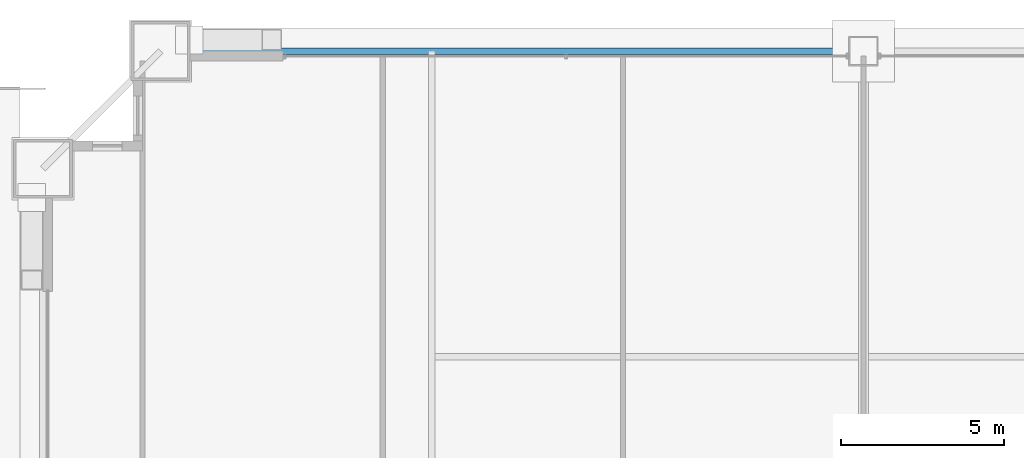
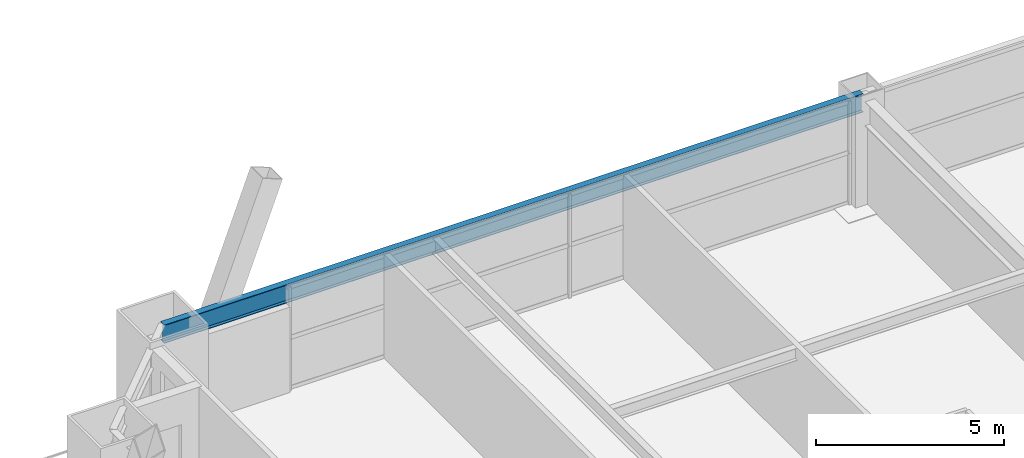
# One storey, part 26 of 45: 1 beam.
"""IFC4 building model written with IfcOpenShell, lengths in metres."""

import ifcopenshell
import ifcopenshell.guid

model = None  # the IFC model being written
_history = None  # IfcOwnerHistory: only IFC2X3 demands one
_inside = {}  # id of a spatial element -> (the spatial element, [elements in it])
_under = {}  # id of a project, library or spatial element -> (it, [spatial elements below it])
_declared = {}  # id of a project -> (the project, [libraries it declares])
_typed = {}  # id of a type object -> (the type object, [elements of that type])
_made_of = {}  # id of a material, layer set ... -> (it, [elements and type objects made of it])


def new_model(schema):
    """Start an empty IFC model of exactly this schema.

    Asked for "IFC4X3", IfcOpenShell would pick the latest addendum, in which some entities
    have other attributes; the version numbers below select the first issue.
    IFC2X3 requires an IfcOwnerHistory on every rooted entity: one is made here for all.
    """
    global model, _history
    if schema == "IFC4X3":
        model = ifcopenshell.file(schema_version=(4, 3, 0, 0))
    else:
        model = ifcopenshell.file(schema=schema)
    _inside.clear()
    _under.clear()
    _declared.clear()
    _typed.clear()
    _made_of.clear()
    _history = None
    if model.schema == "IFC2X3":
        org = make("IfcOrganization", Name="unknown")
        user = make(
            "IfcPersonAndOrganization",
            ThePerson=make("IfcPerson", FamilyName="unknown"),
            TheOrganization=org,
        )
        app = make(
            "IfcApplication",
            ApplicationDeveloper=org,
            Version="unknown",
            ApplicationFullName="unknown",
            ApplicationIdentifier="unknown",
        )
        _history = make(
            "IfcOwnerHistory",
            OwningUser=user,
            OwningApplication=app,
            ChangeAction="ADDED",
            CreationDate=0,
        )
    return model


def make(cls, **values):
    """One entity of the class cls with the attributes given. An attribute that is None is left unset."""
    return model.create_entity(
        cls, **{name: value for name, value in values.items() if value is not None}
    )


def rooted(cls, **values):
    """An entity with a GlobalId (a new one), such as an element, a storey or a relation."""
    return make(cls, GlobalId=ifcopenshell.guid.new(), OwnerHistory=_history, **values)


def si_unit(unit_type, name, prefix=None):
    """IfcSIUnit, for example si_unit("LENGTHUNIT", "METRE", prefix="MILLI")."""
    return make("IfcSIUnit", UnitType=unit_type, Prefix=prefix, Name=name)


def assignment(units):
    """IfcUnitAssignment: the units of a project."""
    return None if units is None else make("IfcUnitAssignment", Units=units)


def point(xyz):
    """IfcCartesianPoint."""
    return None if xyz is None else make("IfcCartesianPoint", Coordinates=xyz)


def direction(xyz):
    """IfcDirection."""
    return None if xyz is None else make("IfcDirection", DirectionRatios=xyz)


def frame(location, z_axis=None, x_axis=None):
    """IfcAxis2Placement3D, a coordinate frame: its origin and axes. An axis left out is left unset."""
    return make(
        "IfcAxis2Placement3D",
        Location=point(location),
        Axis=direction(z_axis),
        RefDirection=direction(x_axis),
    )


def frame_2d(location, x_axis=None):
    """IfcAxis2Placement2D, a coordinate frame in the plane: its origin and x axis."""
    return make(
        "IfcAxis2Placement2D", Location=point(location), RefDirection=direction(x_axis)
    )


def origin():
    """The frame at (0, 0, 0) with its axes left unset."""
    return frame((0.0, 0.0, 0.0))


def origin_2d():
    """The frame at (0, 0) in the plane with its x axis left unset."""
    return frame_2d((0.0, 0.0))


def place(relative_to, where):
    """IfcLocalPlacement: puts the frame where relative to a parent placement (None: the world)."""
    return make(
        "IfcLocalPlacement", PlacementRelTo=relative_to, RelativePlacement=where
    )


def context(
    kind, dimensions, precision=None, world=None, true_north=None, identifier=None
):
    """IfcGeometricRepresentationContext, for example the 3D "Model" context."""
    return make(
        "IfcGeometricRepresentationContext",
        ContextIdentifier=identifier,
        ContextType=kind,
        CoordinateSpaceDimension=dimensions,
        Precision=precision,
        WorldCoordinateSystem=world,
        TrueNorth=true_north,
    )


def subcontext(parent, identifier, kind, view, scale=None):
    """IfcGeometricRepresentationSubContext, for example "Body" below "Model"."""
    return make(
        "IfcGeometricRepresentationSubContext",
        ContextIdentifier=identifier,
        ContextType=kind,
        ParentContext=parent,
        TargetScale=scale,
        TargetView=view,
    )


def project(units=None, contexts=None):
    """IfcProject with its units and contexts."""
    return rooted(
        "IfcProject",
        Name="project",
        RepresentationContexts=contexts,
        UnitsInContext=assignment(units),
    )


def spatial(cls, under=None, at=None, **own):
    """A site, building, storey or space (cls), placed at a placement, below another one or the project."""
    s = rooted(cls, ObjectPlacement=at, **own)
    if under is not None:
        _under.setdefault(under.id(), (under, []))[1].append(s)
    return s


def profile(cls, at=None, kind="AREA", **sizes):
    """A parametric profile (cls). Its sizes go by their IFC names, for example OverallWidth=200.0."""
    return make(cls, ProfileType=kind, Position=at, **sizes)


def i_section(**sizes):
    """IfcIShapeProfileDef."""
    return profile("IfcIShapeProfileDef", **sizes)


def extrude(swept, where, along, depth):
    """IfcExtrudedAreaSolid: the profile swept, set in the frame where, extruded along a direction by depth."""
    return make(
        "IfcExtrudedAreaSolid",
        SweptArea=swept,
        Position=where,
        ExtrudedDirection=direction(along),
        Depth=depth,
    )


def shape(context_of_items, identifier, shape_type, items):
    """IfcShapeRepresentation: the items that make up one representation, for example the "Body"."""
    return make(
        "IfcShapeRepresentation",
        ContextOfItems=context_of_items,
        RepresentationIdentifier=identifier,
        RepresentationType=shape_type,
        Items=items,
    )


def source(mapping_origin, context_of_items, identifier, shape_type, items):
    """IfcRepresentationMap: a shape defined once, which mapped items show again and again."""
    return make(
        "IfcRepresentationMap",
        MappingOrigin=mapping_origin,
        MappedRepresentation=shape(context_of_items, identifier, shape_type, items),
    )


def transform(
    local_origin,
    x_axis=None,
    y_axis=None,
    z_axis=None,
    scale=None,
    scale2=None,
    scale3=None,
    uniform=True,
):
    """IfcCartesianTransformationOperator3D, or its non-uniform kind. x_axis, y_axis, z_axis: its Axis1, 2, 3."""
    if uniform:
        return make(
            "IfcCartesianTransformationOperator3D",
            Axis1=direction(x_axis),
            Axis2=direction(y_axis),
            LocalOrigin=point(local_origin),
            Scale=scale,
            Axis3=direction(z_axis),
        )
    return make(
        "IfcCartesianTransformationOperator3DnonUniform",
        Axis1=direction(x_axis),
        Axis2=direction(y_axis),
        LocalOrigin=point(local_origin),
        Scale=scale,
        Axis3=direction(z_axis),
        Scale2=scale2,
        Scale3=scale3,
    )


def mapped(mapping_source, mapping_target):
    """IfcMappedItem: shows the shape of a source again, moved by a transform."""
    return make(
        "IfcMappedItem", MappingSource=mapping_source, MappingTarget=mapping_target
    )


def material(Name=None, Category=None):
    """IfcMaterial."""
    return make("IfcMaterial", Name=Name, Category=Category)


def material_profile(
    of_material, cross_section, Name=None, Category=None, Priority=None
):
    """IfcMaterialProfile: a cross section and its material."""
    return make(
        "IfcMaterialProfile",
        Name=Name,
        Material=of_material,
        Profile=cross_section,
        Priority=Priority,
        Category=Category,
    )


def profile_set(profiles, Name=None, composite=None):
    """IfcMaterialProfileSet."""
    return make(
        "IfcMaterialProfileSet",
        Name=Name,
        MaterialProfiles=profiles,
        CompositeProfile=composite,
    )


def made_of(thing, what):
    """Note that an element or type object is made of a material, layer set ...; save() writes the relation."""
    if what is not None:
        _made_of.setdefault(what.id(), (what, []))[1].append(thing)
    return thing


def type_object(cls, material=None, **own):
    """A type object (cls), such as IfcWallType, which elements share."""
    return made_of(rooted(cls, **own), material)


def element(
    cls,
    number,
    at=None,
    inside=None,
    cuts=None,
    type_object=None,
    material=None,
    context=None,
    identifier="Body",
    shape_type=None,
    held_by="IfcProductDefinitionShape",
    body=None,
    shapes=None,
    **own,
):
    """One element of the class cls, such as IfcWall. Its Tag is "e" and its number.

    at: its placement. inside: the storey or other place that contains it. cuts: it is an
    opening in that element (IfcRelVoidsElement). A single representation is given by context,
    identifier, shape_type and body (its items); several are given by shapes. held_by: the class
    of the entity that holds the representations. save() writes the other relations.
    """
    e = rooted(cls, Tag="e%d" % number, ObjectPlacement=at, **own)
    if body is not None:
        shapes = [shape(context, identifier, shape_type, body)]
    if shapes is not None:
        e.Representation = make(held_by, Representations=shapes)
    if inside is not None:
        _inside.setdefault(inside.id(), (inside, []))[1].append(e)
    if cuts is not None:
        rooted(
            "IfcRelVoidsElement", RelatingBuildingElement=cuts, RelatedOpeningElement=e
        )
    if type_object is not None:
        _typed.setdefault(type_object.id(), (type_object, []))[1].append(e)
    return made_of(e, material)


def aggregate(whole, parts):
    """IfcRelAggregates: a whole, such as a stair, and the parts it consists of."""
    return rooted("IfcRelAggregates", RelatingObject=whole, RelatedObjects=parts)


def save(model, path):
    """Write the relations noted so far, then the file.

    IfcRelAggregates (storeys below a building ...), IfcRelContainedInSpatialStructure (elements
    in a storey), IfcRelDefinesByType, IfcRelAssociatesMaterial and IfcRelDeclares: one each for
    every whole, place, type object, material and project.
    """
    for whole, parts in _under.values():
        aggregate(whole, parts)
    for where, things in _inside.values():
        rooted(
            "IfcRelContainedInSpatialStructure",
            RelatedElements=things,
            RelatingStructure=where,
        )
    for kind, things in _typed.values():
        rooted("IfcRelDefinesByType", RelatedObjects=things, RelatingType=kind)
    for what, things in _made_of.values():
        rooted("IfcRelAssociatesMaterial", RelatedObjects=things, RelatingMaterial=what)
    for by, libraries in _declared.values():
        rooted("IfcRelDeclares", RelatingContext=by, RelatedDefinitions=libraries)
    model.write(path)


model = new_model("IFC4")

# Units and contexts
model_context = context("Model", 3, precision=1e-05, world=origin(), true_north=direction((0.0, 1.0)))
body_context = subcontext(model_context, "Body", "Model", "MODEL_VIEW")
ifc_project = project(units=[si_unit("LENGTHUNIT", "METRE"), si_unit("AREAUNIT", "SQUARE_METRE"), si_unit("VOLUMEUNIT", "CUBIC_METRE"), si_unit("PLANEANGLEUNIT", "RADIAN"), si_unit("MASSUNIT", "GRAM", prefix="KILO"), si_unit("THERMODYNAMICTEMPERATUREUNIT", "KELVIN"), si_unit("POWERUNIT", "WATT")], contexts=[model_context])

# Site, building, storey
site_placement = place(None, origin())
site = spatial("IfcSite", under=ifc_project, at=site_placement, CompositionType="ELEMENT")
building_placement = place(site_placement, origin())
building = spatial("IfcBuilding", under=site, at=building_placement, Name="Yuzanri Waterfront Tower", CompositionType="ELEMENT")
storey_placement = place(building_placement, frame((0.0, 0.0, 30.60009765625)))
storey = spatial("IfcBuildingStorey", under=building, at=storey_placement, Name="L07", CompositionType="ELEMENT", Elevation=30.60009765625)

# Beam
ifc_material = material(Name="Steel Q355B", Category="steel")
ifc_material_profile = material_profile(ifc_material, i_section(OverallWidth=0.199951171875, OverallDepth=0.60009765625, WebThickness=0.010986328125, FlangeThickness=0.01708984375, at=origin_2d()), Name="HN 600x200x11x17")
ifc_profile_set = profile_set([ifc_material_profile], Name="Steel Q355B")
beam_type = type_object("IfcBeamType", Name="Perimeter Spandrel Q355B HN 600x200", PredefinedType="SPANDREL", material=ifc_profile_set)
shared_shape = source(origin(), body_context, "Body", "SweptSolid", [
    extrude(i_section(OverallWidth=0.199951171875, OverallDepth=0.60009765625, WebThickness=0.010986328125, FlangeThickness=0.01708984375, at=origin_2d()), origin(), (0.0, 0.0, 1.0), 21.5),
])
beam_placement = place(storey_placement, frame((37.0, 50.89990234375, 3.079833984375), z_axis=(-1.0, 0.0, 0.0), x_axis=(0.0, -1.0, 0.0)))
element("IfcBeam", 1, at=beam_placement, inside=storey, type_object=beam_type, Name="L07 Perimeter Spandrel N2-N1", PredefinedType="SPANDREL", context=body_context, shape_type="MappedRepresentation", body=[
    mapped(shared_shape, transform((0.0, 0.0, 0.0), scale=1.0)),
])

save(model, "model.ifc")
